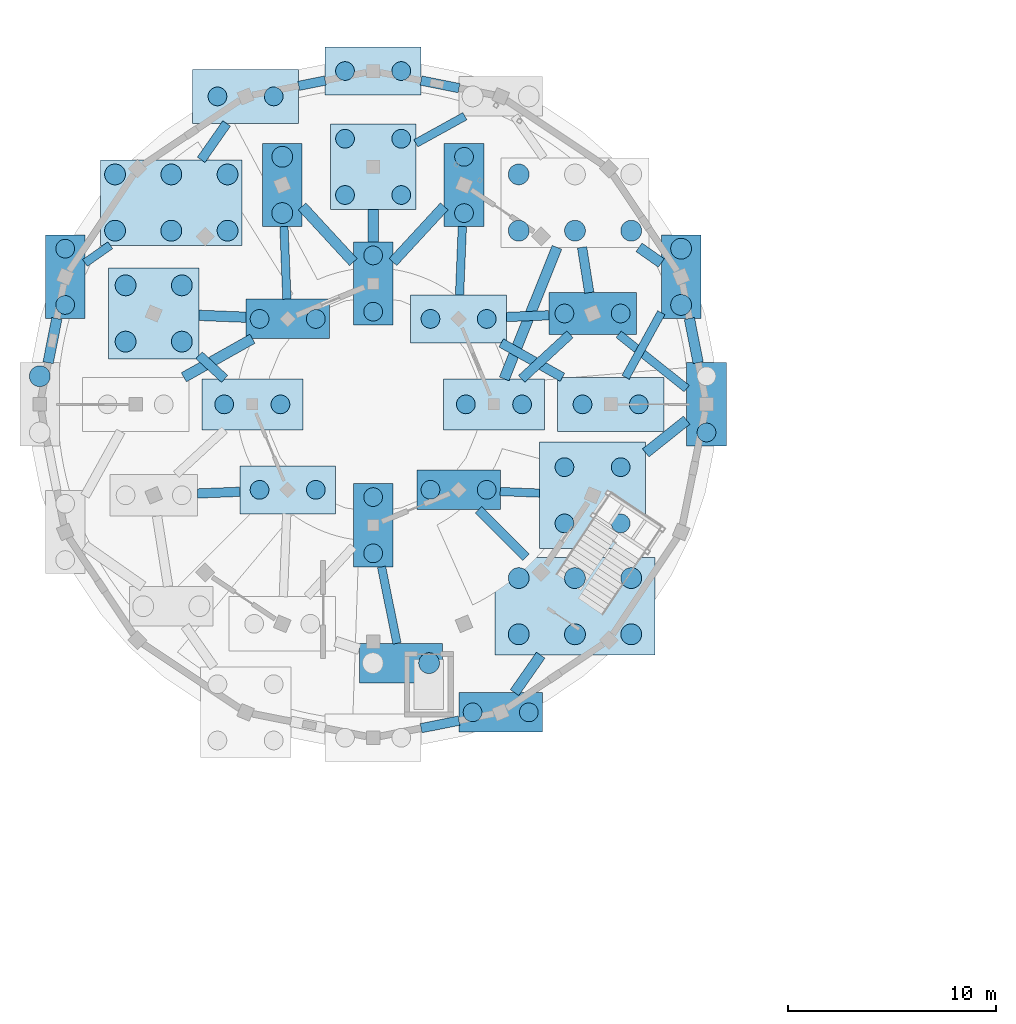
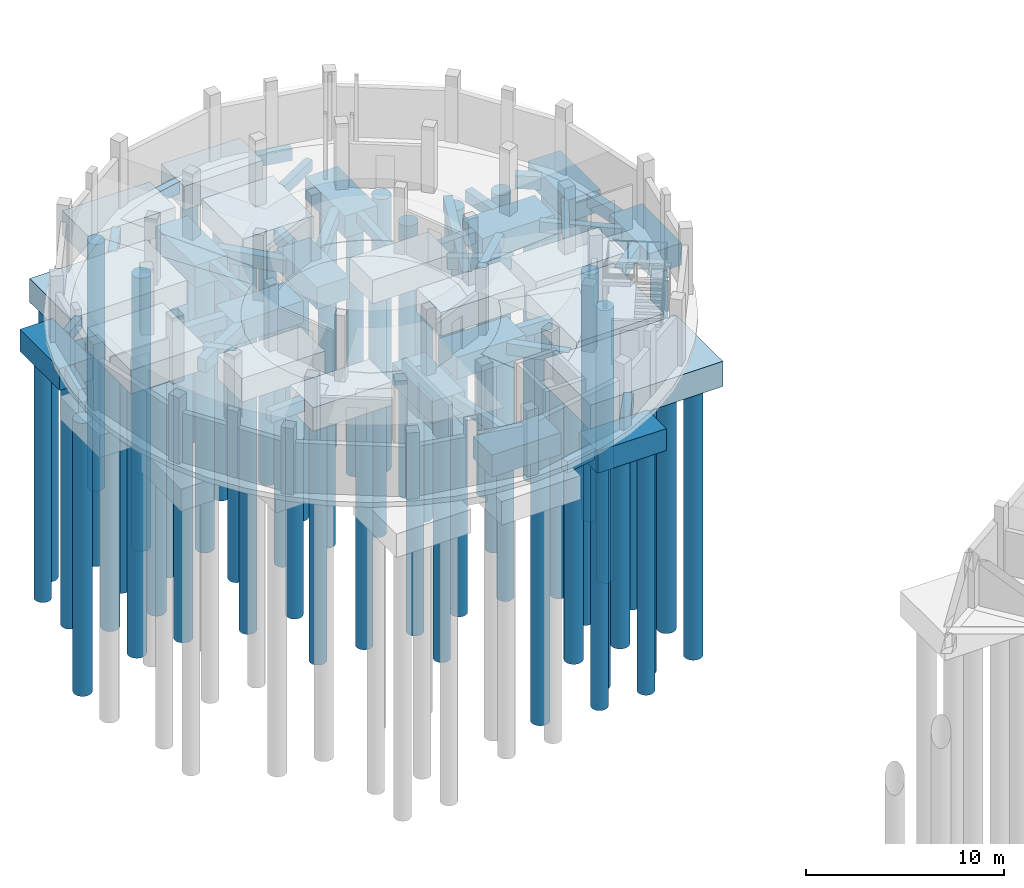
# One storey, part 5 of 58: 65 piles, 54 footings.
"""IFC4 building model written with IfcOpenShell, lengths in metres."""

from ifc_helpers import new_model, si_unit, direction, frame, origin, origin_2d, place, context, subcontext, project, spatial, rectangle, circle, extrude, material, material_profile, profile_set, type_object, element, save


model = new_model("IFC4")

# Units and contexts
model_context = context("Model", 3, precision=1e-05, world=origin(), true_north=direction((0.0, 1.0)))
body_context = subcontext(model_context, "Body", "Model", "MODEL_VIEW")
ifc_project = project(units=[si_unit("LENGTHUNIT", "METRE"), si_unit("AREAUNIT", "SQUARE_METRE"), si_unit("VOLUMEUNIT", "CUBIC_METRE"), si_unit("PLANEANGLEUNIT", "RADIAN"), si_unit("MASSUNIT", "GRAM", prefix="KILO")], contexts=[model_context])

# Site, building, storey
site_placement = place(None, origin())
site = spatial("IfcSite", under=ifc_project, at=site_placement, CompositionType="ELEMENT")
building_placement = place(site_placement, origin())
building = spatial("IfcBuilding", under=site, at=building_placement, Name="Caldaven Crescent School", CompositionType="ELEMENT")
storey_placement = place(building_placement, frame((0.0, 0.0, -4.080078125)))
storey = spatial("IfcBuildingStorey", under=building, at=storey_placement, Name="B1", CompositionType="ELEMENT", Elevation=-4.080078125)

# Footings
ifc_material_1 = material(Name="Concrete C30/37", Category="concrete")
ifc_material_profile_1 = material_profile(ifc_material_1, rectangle(XDim=0.449951171875, YDim=0.699951171875, at=origin_2d()), Name="FB 450x700")
ifc_profile_set_1 = profile_set([ifc_material_profile_1], Name="Concrete C30/37")
footing_type_1 = type_object("IfcFootingType", Name="FTG-FB1", PredefinedType="FOOTING_BEAM", material=ifc_profile_set_1)
footing_1_placement = place(storey_placement, frame((30.62890625, 99.72509765625, -0.64990234375), z_axis=(0.735245539754, 0.677800852959, 0.0), x_axis=(-0.677800852959, 0.735245539754, 0.0)))
element("IfcFooting", 1, at=footing_1_placement, inside=storey, type_object=footing_type_1, Name="FB-046", PredefinedType="FOOTING_BEAM", context=body_context, shape_type="SweptSolid", body=[
    extrude(rectangle(XDim=0.449951171875, YDim=0.699951171875, at=origin_2d()), origin(), (0.0, 0.0, 1.0), 3.153564453125),
])
footing_2_placement = place(storey_placement, frame((32.58642578125, 99.800048828125, -0.64990234375), z_axis=(-0.87181721638, 0.489831339568, 0.0), x_axis=(-0.489831339568, -0.87181721638, 0.0)))
element("IfcFooting", 2, at=footing_2_placement, inside=storey, type_object=footing_type_1, Name="FB-049", PredefinedType="FOOTING_BEAM", context=body_context, shape_type="SweptSolid", body=[
    extrude(rectangle(XDim=0.449951171875, YDim=0.699951171875, at=origin_2d()), origin(), (0.0, 0.0, 1.0), 3.370849609375),
])
footing_3_placement = place(storey_placement, frame((33.87353515625, 103.862548828125, -0.64990234375), z_axis=(-0.156662828898, 0.98765214425, 0.0), x_axis=(-0.98765214425, -0.156662828898, 0.0)))
element("IfcFooting", 3, at=footing_3_placement, inside=storey, type_object=footing_type_1, Name="FB-052", PredefinedType="FOOTING_BEAM", context=body_context, shape_type="SweptSolid", body=[
    extrude(rectangle(XDim=0.449951171875, YDim=0.699951171875, at=origin_2d()), origin(), (0.0, 0.0, 1.0), 2.201904296875),
])
footing_4_placement = place(storey_placement, frame((29.901123046875, 102.694580078125, -0.64990234375), z_axis=(0.999175626796, 0.040596389212, 0.0), x_axis=(-0.040596389212, 0.999175626796, 0.0)))
element("IfcFooting", 4, at=footing_4_placement, inside=storey, type_object=footing_type_1, Name="FB-055", PredefinedType="FOOTING_BEAM", context=body_context, shape_type="SweptSolid", body=[
    extrude(rectangle(XDim=0.449951171875, YDim=0.699951171875, at=origin_2d()), origin(), (0.0, 0.0, 1.0), 2.03271484375),
])
footing_5_placement = place(storey_placement, frame((27.622802734375, 113.679931640625, -0.64990234375), z_axis=(-0.980787284568, 0.195080246127, 0.0), x_axis=(-0.195080246127, -0.980787284568, 0.0)))
element("IfcFooting", 5, at=footing_5_placement, inside=storey, type_object=footing_type_1, Name="FB-058", PredefinedType="FOOTING_BEAM", context=body_context, shape_type="SweptSolid", body=[
    extrude(rectangle(XDim=0.449951171875, YDim=0.699951171875, at=origin_2d()), origin(), (0.0, 0.0, 1.0), 1.8583984375),
])
footing_6_placement = place(storey_placement, frame((21.199951171875, 114.04248046875, -0.64990234375), z_axis=(-0.980789926192, -0.195066964607, 0.0), x_axis=(0.195066964607, -0.980789926192, 0.0)))
element("IfcFooting", 6, at=footing_6_placement, inside=storey, type_object=footing_type_1, Name="FB-061", PredefinedType="FOOTING_BEAM", context=body_context, shape_type="SweptSolid", body=[
    extrude(rectangle(XDim=0.449951171875, YDim=0.699951171875, at=origin_2d()), origin(), (0.0, 0.0, 1.0), 1.2978515625),
])
footing_7_placement = place(storey_placement, frame((16.467529296875, 111.982177734375, -0.64990234375), z_axis=(-0.573239183006, -0.819388088189, 0.0), x_axis=(0.819388088189, -0.573239183006, 0.0)))
element("IfcFooting", 7, at=footing_7_placement, inside=storey, type_object=footing_type_1, Name="FB-064", PredefinedType="FOOTING_BEAM", context=body_context, shape_type="SweptSolid", body=[
    extrude(rectangle(XDim=0.449951171875, YDim=0.699951171875, at=origin_2d()), origin(), (0.0, 0.0, 1.0), 2.12939453125),
])
footing_8_placement = place(storey_placement, frame((15.142822265625, 100.857421875, -0.64990234375), z_axis=(0.735240317332, -0.677806517946, 0.0), x_axis=(0.677806517946, 0.735240317332, 0.0)))
element("IfcFooting", 8, at=footing_8_placement, inside=storey, type_object=footing_type_1, Name="FB-067", PredefinedType="FOOTING_BEAM", context=body_context, shape_type="SweptSolid", body=[
    extrude(rectangle(XDim=0.449951171875, YDim=0.699951171875, at=origin_2d()), origin(), (0.0, 0.0, 1.0), 1.670654296875),
])
footing_9_placement = place(storey_placement, frame((17.098876953125, 94.305419921875, -0.64990234375), z_axis=(-0.999175626796, -0.040596389212, 0.0), x_axis=(0.040596389212, -0.999175626796, 0.0)))
element("IfcFooting", 9, at=footing_9_placement, inside=storey, type_object=footing_type_1, Name="FB-076", PredefinedType="FOOTING_BEAM", context=body_context, shape_type="SweptSolid", body=[
    extrude(rectangle(XDim=0.449951171875, YDim=0.699951171875, at=origin_2d()), origin(), (0.0, 0.0, 1.0), 2.03271484375),
])
footing_10_placement = place(storey_placement, frame((25.800048828125, 82.95751953125, -0.64990234375), z_axis=(0.980787284568, 0.195080246127, 0.0), x_axis=(-0.195080246127, 0.980787284568, 0.0)))
element("IfcFooting", 10, at=footing_10_placement, inside=storey, type_object=footing_type_1, Name="FB-082", PredefinedType="FOOTING_BEAM", context=body_context, shape_type="SweptSolid", body=[
    extrude(rectangle(XDim=0.449951171875, YDim=0.699951171875, at=origin_2d()), origin(), (0.0, 0.0, 1.0), 1.8583984375),
])
footing_11_placement = place(storey_placement, frame((28.55126953125, 93.44873046875, -0.64990234375), z_axis=(0.707106781187, -0.707106781187, 0.0), x_axis=(0.707106781187, 0.707106781187, 0.0)))
element("IfcFooting", 11, at=footing_11_placement, inside=storey, type_object=footing_type_1, Name="FB-085", PredefinedType="FOOTING_BEAM", context=body_context, shape_type="SweptSolid", body=[
    extrude(rectangle(XDim=0.449951171875, YDim=0.699951171875, at=origin_2d()), origin(), (0.0, 0.0, 1.0), 3.233154296875),
])
ifc_material_profile_2 = material_profile(ifc_material_1, rectangle(XDim=0.5, YDim=0.800048828125, at=origin_2d()), Name="FB 500x800")
ifc_profile_set_2 = profile_set([ifc_material_profile_2], Name="Concrete C30/37")
footing_type_2 = type_object("IfcFootingType", Name="FTG-FB2", PredefinedType="FOOTING_BEAM", material=ifc_profile_set_2)
footing_12_placement = place(storey_placement, frame((29.79150390625, 99.72509765625, -0.699951171875), z_axis=(0.372442521457, 0.928055261399, 0.0), x_axis=(-0.928055261399, 0.372442521457, 0.0)))
element("IfcFooting", 12, at=footing_12_placement, inside=storey, type_object=footing_type_2, Name="FB-047", PredefinedType="FOOTING_BEAM", context=body_context, shape_type="SweptSolid", body=[
    extrude(rectangle(XDim=0.5, YDim=0.800048828125, at=origin_2d()), origin(), (0.0, 0.0, 1.0), 6.801513671875),
])
footing_13_placement = place(storey_placement, frame((39.102294921875, 100.5, -0.699951171875), z_axis=(-0.195139904607, 0.98077541651, 0.0), x_axis=(-0.98077541651, -0.195139904607, 0.0)))
element("IfcFooting", 13, at=footing_13_placement, inside=storey, type_object=footing_type_2, Name="FB-050", PredefinedType="FOOTING_BEAM", context=body_context, shape_type="SweptSolid", body=[
    extrude(rectangle(XDim=0.5, YDim=0.800048828125, at=origin_2d()), origin(), (0.0, 0.0, 1.0), 2.164306640625),
])
footing_14_placement = place(storey_placement, frame((37.33203125, 105.28759765625, -0.699951171875), z_axis=(-0.819345917975, 0.573299456391, 0.0), x_axis=(-0.573299456391, -0.819345917975, 0.0)))
element("IfcFooting", 14, at=footing_14_placement, inside=storey, type_object=footing_type_2, Name="FB-053", PredefinedType="FOOTING_BEAM", context=body_context, shape_type="SweptSolid", body=[
    extrude(rectangle(XDim=0.5, YDim=0.800048828125, at=origin_2d()), origin(), (0.0, 0.0, 1.0), 1.307861328125),
])
footing_15_placement = place(storey_placement, frame((26.91259765625, 108.001708984375, -0.699951171875), z_axis=(-0.67783062662, -0.735218091192, 0.0), x_axis=(0.735218091192, -0.67783062662, 0.0)))
element("IfcFooting", 15, at=footing_15_placement, inside=storey, type_object=footing_type_2, Name="FB-056", PredefinedType="FOOTING_BEAM", context=body_context, shape_type="SweptSolid", body=[
    extrude(rectangle(XDim=0.5, YDim=0.800048828125, at=origin_2d()), origin(), (0.0, 0.0, 1.0), 3.633056640625),
])
footing_16_placement = place(storey_placement, frame((23.5, 106.300048828125, -0.699951171875), z_axis=(0.0, 1.0, 0.0), x_axis=(-1.0, 0.0, 0.0)))
element("IfcFooting", 16, at=footing_16_placement, inside=storey, type_object=footing_type_2, Name="FB-059", PredefinedType="FOOTING_BEAM", context=body_context, shape_type="SweptSolid", body=[
    extrude(rectangle(XDim=0.5, YDim=0.800048828125, at=origin_2d()), origin(), (0.0, 0.0, 1.0), 1.550048828125),
])
footing_17_placement = place(storey_placement, frame((20.08740234375, 108.001708984375, -0.699951171875), z_axis=(0.67783062662, -0.735218091192, 0.0), x_axis=(0.735218091192, 0.67783062662, 0.0)))
element("IfcFooting", 17, at=footing_17_placement, inside=storey, type_object=footing_type_2, Name="FB-062", PredefinedType="FOOTING_BEAM", context=body_context, shape_type="SweptSolid", body=[
    extrude(rectangle(XDim=0.5, YDim=0.800048828125, at=origin_2d()), origin(), (0.0, 0.0, 1.0), 3.633056640625),
])
footing_18_placement = place(storey_placement, frame((17.398681640625, 102.6826171875, -0.699951171875), z_axis=(-0.999177468557, 0.040551033626, 0.0), x_axis=(-0.040551033626, -0.999177468557, 0.0)))
element("IfcFooting", 18, at=footing_18_placement, inside=storey, type_object=footing_type_2, Name="FB-065", PredefinedType="FOOTING_BEAM", context=body_context, shape_type="SweptSolid", body=[
    extrude(rectangle(XDim=0.5, YDim=0.800048828125, at=origin_2d()), origin(), (0.0, 0.0, 1.0), 2.2578125),
])
footing_19_placement = place(storey_placement, frame((8.320068359375, 102.622802734375, -0.699951171875), z_axis=(-0.195139904607, -0.98077541651, 0.0), x_axis=(0.98077541651, -0.195139904607, 0.0)))
element("IfcFooting", 19, at=footing_19_placement, inside=storey, type_object=footing_type_2, Name="FB-068", PredefinedType="FOOTING_BEAM", context=body_context, shape_type="SweptSolid", body=[
    extrude(rectangle(XDim=0.5, YDim=0.800048828125, at=origin_2d()), origin(), (0.0, 0.0, 1.0), 2.164306640625),
])
footing_20_placement = place(storey_placement, frame((14.41357421875, 99.800048828125, -0.699951171875), z_axis=(0.87180664502, 0.489850154331, 0.0), x_axis=(-0.489850154331, 0.87180664502, 0.0)))
element("IfcFooting", 20, at=footing_20_placement, inside=storey, type_object=footing_type_2, Name="FB-071", PredefinedType="FOOTING_BEAM", context=body_context, shape_type="SweptSolid", body=[
    extrude(rectangle(XDim=0.5, YDim=0.800048828125, at=origin_2d()), origin(), (0.0, 0.0, 1.0), 3.77880859375),
])
footing_21_placement = place(storey_placement, frame((30.28759765625, 84.66796875, -0.699951171875), z_axis=(0.573260344839, 0.819373283086, 0.0), x_axis=(-0.819373283086, 0.573260344839, 0.0)))
element("IfcFooting", 21, at=footing_21_placement, inside=storey, type_object=footing_type_2, Name="FB-083", PredefinedType="FOOTING_BEAM", context=body_context, shape_type="SweptSolid", body=[
    extrude(rectangle(XDim=0.5, YDim=0.800048828125, at=origin_2d()), origin(), (0.0, 0.0, 1.0), 2.190185546875),
])
footing_22_placement = place(storey_placement, frame((36.582275390625, 96.172119140625, -0.699951171875), z_axis=(0.781719681901, 0.623629969556, 0.0), x_axis=(-0.623629969556, 0.781719681901, 0.0)))
element("IfcFooting", 22, at=footing_22_placement, inside=storey, type_object=footing_type_2, Name="FB-086", PredefinedType="FOOTING_BEAM", context=body_context, shape_type="SweptSolid", body=[
    extrude(rectangle(XDim=0.5, YDim=0.800048828125, at=origin_2d()), origin(), (0.0, 0.0, 1.0), 2.517333984375),
])
ifc_material_profile_3 = material_profile(ifc_material_1, rectangle(XDim=0.39990234375, YDim=0.64990234375, at=origin_2d()), Name="FB 400x650")
ifc_profile_set_3 = profile_set([ifc_material_profile_3], Name="Concrete C30/37")
footing_type_3 = type_object("IfcFootingType", Name="FTG-FB3", PredefinedType="FOOTING_BEAM", material=ifc_profile_set_3)
footing_23_placement = place(storey_placement, frame((35.6181640625, 99.800048828125, -0.625), z_axis=(0.483477839389, 0.875356600946, 0.0), x_axis=(-0.875356600946, 0.483477839389, 0.0)))
element("IfcFooting", 23, at=footing_23_placement, inside=storey, type_object=footing_type_3, Name="FB-048", PredefinedType="FOOTING_BEAM", context=body_context, shape_type="SweptSolid", body=[
    extrude(rectangle(XDim=0.39990234375, YDim=0.64990234375, at=origin_2d()), origin(), (0.0, 0.0, 1.0), 3.544921875),
])
footing_24_placement = place(storey_placement, frame((38.550048828125, 99.258056640625, -0.625), z_axis=(-0.781712185848, 0.623639365737, 0.0), x_axis=(-0.623639365737, -0.781712185848, 0.0)))
element("IfcFooting", 24, at=footing_24_placement, inside=storey, type_object=footing_type_3, Name="FB-051", PredefinedType="FOOTING_BEAM", context=body_context, shape_type="SweptSolid", body=[
    extrude(rectangle(XDim=0.39990234375, YDim=0.64990234375, at=origin_2d()), origin(), (0.0, 0.0, 1.0), 4.17626953125),
])
footing_25_placement = place(storey_placement, frame((27.64794921875, 103.751220703125, -0.625), z_axis=(0.040594533328, 0.999175702198, 0.0), x_axis=(-0.999175702198, 0.040594533328, 0.0)))
element("IfcFooting", 25, at=footing_25_placement, inside=storey, type_object=footing_type_3, Name="FB-054", PredefinedType="FOOTING_BEAM", context=body_context, shape_type="SweptSolid", body=[
    extrude(rectangle(XDim=0.39990234375, YDim=0.64990234375, at=origin_2d()), origin(), (0.0, 0.0, 1.0), 3.28369140625),
])
footing_26_placement = place(storey_placement, frame((25.550048828125, 111.032470703125, -0.625), z_axis=(0.87536697396, 0.483459058143, 0.0), x_axis=(-0.483459058143, 0.87536697396, 0.0)))
element("IfcFooting", 26, at=footing_26_placement, inside=storey, type_object=footing_type_3, Name="FB-060", PredefinedType="FOOTING_BEAM", context=body_context, shape_type="SweptSolid", body=[
    extrude(rectangle(XDim=0.39990234375, YDim=0.64990234375, at=origin_2d()), origin(), (0.0, 0.0, 1.0), 2.68798828125),
])
footing_27_placement = place(storey_placement, frame((19.21875, 107.0322265625, -0.625), z_axis=(0.040575338967, -0.999176481843, 0.0), x_axis=(0.999176481843, 0.040575338967, 0.0)))
element("IfcFooting", 27, at=footing_27_placement, inside=storey, type_object=footing_type_3, Name="FB-063", PredefinedType="FOOTING_BEAM", context=body_context, shape_type="SweptSolid", body=[
    extrude(rectangle(XDim=0.39990234375, YDim=0.64990234375, at=origin_2d()), origin(), (0.0, 0.0, 1.0), 3.48388671875),
])
footing_28_placement = place(storey_placement, frame((10.882568359375, 106.137451171875, -0.625), z_axis=(-0.819347962608, -0.573296534239, 0.0), x_axis=(0.573296534239, -0.819347962608, 0.0)))
element("IfcFooting", 28, at=footing_28_placement, inside=storey, type_object=footing_type_3, Name="FB-066", PredefinedType="FOOTING_BEAM", context=body_context, shape_type="SweptSolid", body=[
    extrude(rectangle(XDim=0.39990234375, YDim=0.64990234375, at=origin_2d()), origin(), (0.0, 0.0, 1.0), 1.482421875),
])
footing_29_placement = place(storey_placement, frame((23.90380859375, 90.699951171875, -0.625), z_axis=(0.197922303759, -0.980217711366, 0.0), x_axis=(0.980217711366, 0.197922303759, 0.0)))
element("IfcFooting", 29, at=footing_29_placement, inside=storey, type_object=footing_type_3, Name="FB-081", PredefinedType="FOOTING_BEAM", context=body_context, shape_type="SweptSolid", body=[
    extrude(rectangle(XDim=0.39990234375, YDim=0.64990234375, at=origin_2d()), origin(), (0.0, 0.0, 1.0), 3.742431640625),
])
footing_30_placement = place(storey_placement, frame((29.601318359375, 94.3173828125, -0.625), z_axis=(0.999175693195, -0.040594754929, 0.0), x_axis=(0.040594754929, 0.999175693195, 0.0)))
element("IfcFooting", 30, at=footing_30_placement, inside=storey, type_object=footing_type_3, Name="FB-084", PredefinedType="FOOTING_BEAM", context=body_context, shape_type="SweptSolid", body=[
    extrude(rectangle(XDim=0.39990234375, YDim=0.64990234375, at=origin_2d()), origin(), (0.0, 0.0, 1.0), 1.88232421875),
])
ifc_material_2 = material(Name="Concrete C35/45", Category="concrete")
footing_type_4 = type_object("IfcFootingType", Name="FTG-PC01", PredefinedType="PILE_CAP", material=ifc_material_2)
for number, where, z_axis, x_axis, name in (
    (31, (39.5, 98.5, -1.64990234375), (0.0, 0.0, 1.0), (0.0, 1.0, 0.0), "PC-043"),
    (32, (38.281982421875, 104.622802734375, -1.64990234375), (0.0, 0.0, 1.0), (0.0, 1.0, 0.0), "PC-045"),
    (33, (27.862548828125, 109.0322265625, -1.64990234375), (0.0, 0.0, 1.0), (0.0, 1.0, 0.0), "PC-048"),
    (34, (23.5, 104.300048828125, -1.64990234375), (0.0, 0.0, 1.0), (0.0, 1.0, 0.0), "PC-050"),
    (35, (19.137451171875, 109.0322265625, -1.64990234375), (0.0, 0.0, 1.0), (0.0, 1.0, 0.0), "PC-053"),
    (36, (19.398681640625, 102.601318359375, -1.64990234375), (0.0, 0.0, 1.0), (1.0, 0.0, 0.0), "PC-055"),
    (37, (8.718017578125, 104.622802734375, -1.64990234375), (0.0, 0.0, 1.0), (0.0, 1.0, 0.0), "PC-058"),
    (38, (23.5, 92.699951171875, -1.64990234375), (0.0, 0.0, 1.0), (0.0, 1.0, 0.0), "PC-068"),
    (39, (24.83642578125, 86.08154296875, -1.64990234375), (0.0, 0.0, 1.0), (1.0, 0.0, 0.0), "PC-069"),
    (40, (29.622802734375, 83.718017578125, -1.64990234375), (0.0, 0.0, 1.0), (1.0, 0.0, 0.0), "PC-072"),
    (41, (27.601318359375, 94.398681640625, -1.64990234375), (0.0, 0.0, 1.0), (1.0, 0.0, 0.0), "PC-073"),
):
    element("IfcFooting", number, at=place(storey_placement, frame(where, z_axis=z_axis, x_axis=x_axis)), inside=storey, type_object=footing_type_4, Name=name, PredefinedType="PILE_CAP", context=body_context, shape_type="SweptSolid", body=[
        extrude(rectangle(XDim=4.0, YDim=1.89990234375, at=origin_2d()), origin(), (0.0, 0.0, 1.0), 1.35009765625),
    ])
footing_type_5 = type_object("IfcFootingType", Name="FTG-PC02", PredefinedType="PILE_CAP", material=ifc_material_2)
footing_31_placement = place(storey_placement, frame((34.0322265625, 102.862548828125, -1.699951171875), z_axis=(0.0, 0.0, 1.0), x_axis=(1.0, 0.0, 0.0)))
element("IfcFooting", 42, at=footing_31_placement, inside=storey, type_object=footing_type_5, Name="PC-044", PredefinedType="PILE_CAP", context=body_context, shape_type="SweptSolid", body=[
    extrude(rectangle(XDim=4.199951171875, YDim=2.0, at=origin_2d()), origin(), (0.0, 0.0, 1.0), 1.39990234375),
])
footing_type_6 = type_object("IfcFootingType", Name="FTG-PC04", PredefinedType="PILE_CAP", material=ifc_material_2)
for number, where, z_axis, x_axis, name in (
    (43, (27.601318359375, 102.601318359375, -1.75), (0.0, 0.0, 1.0), (1.0, 0.0, 0.0), "PC-046"),
    (44, (23.5, 114.5, -1.75), (0.0, 0.0, 1.0), (1.0, 0.0, 0.0), "PC-052"),
    (45, (19.398681640625, 94.398681640625, -1.75), (0.0, 0.0, 1.0), (1.0, 0.0, 0.0), "PC-064"),
):
    element("IfcFooting", number, at=place(storey_placement, frame(where, z_axis=z_axis, x_axis=x_axis)), inside=storey, type_object=footing_type_6, Name=name, PredefinedType="PILE_CAP", context=body_context, shape_type="SweptSolid", body=[
        extrude(rectangle(XDim=4.60009765625, YDim=2.300048828125, at=origin_2d()), origin(), (0.0, 0.0, 1.0), 1.449951171875),
    ])
footing_type_7 = type_object("IfcFootingType", Name="FTG-PC05", PredefinedType="PILE_CAP", material=ifc_material_2)
for number, where, z_axis, x_axis, name in (
    (46, (29.300048828125, 98.5, -1.75), (0.0, 0.0, 1.0), (1.0, 0.0, 0.0), "PC-041"),
    (47, (17.699951171875, 98.5, -1.75), (0.0, 0.0, 1.0), (1.0, 0.0, 0.0), "PC-059"),
):
    element("IfcFooting", number, at=place(storey_placement, frame(where, z_axis=z_axis, x_axis=x_axis)), inside=storey, type_object=footing_type_7, Name=name, PredefinedType="PILE_CAP", context=body_context, shape_type="SweptSolid", body=[
        extrude(rectangle(XDim=4.85009765625, YDim=2.449951171875, at=origin_2d()), origin(), (0.0, 0.0, 1.0), 1.449951171875),
    ])
footing_type_8 = type_object("IfcFootingType", Name="FTG-PC06", PredefinedType="PILE_CAP", material=ifc_material_2)
for number, where, z_axis, x_axis, name in (
    (48, (34.89990234375, 98.5, -1.7998046875), (0.0, 0.0, 1.0), (1.0, 0.0, 0.0), "PC-042"),
    (49, (17.377197265625, 113.281982421875, -1.7998046875), (0.0, 0.0, 1.0), (1.0, 0.0, 0.0), "PC-054"),
):
    element("IfcFooting", number, at=place(storey_placement, frame(where, z_axis=z_axis, x_axis=x_axis)), inside=storey, type_object=footing_type_8, Name=name, PredefinedType="PILE_CAP", context=body_context, shape_type="SweptSolid", body=[
        extrude(rectangle(XDim=5.10009765625, YDim=2.60009765625, at=origin_2d()), origin(), (0.0, 0.0, 1.0), 1.5),
    ])
footing_type_9 = type_object("IfcFootingType", Name="FTG-PC07", PredefinedType="PILE_CAP", material=ifc_material_2)
footing_32_placement = place(storey_placement, frame((23.5, 109.89990234375, -1.699951171875), z_axis=(0.0, 0.0, 1.0), x_axis=(1.0, 0.0, 0.0)))
element("IfcFooting", 50, at=footing_32_placement, inside=storey, type_object=footing_type_9, Name="PC-051", PredefinedType="PILE_CAP", context=body_context, shape_type="SweptSolid", body=[
    extrude(rectangle(XDim=4.10009765625, YDim=4.10009765625, at=origin_2d()), origin(), (0.0, 0.0, 1.0), 1.39990234375),
])
footing_type_10 = type_object("IfcFootingType", Name="FTG-PC08", PredefinedType="PILE_CAP", material=ifc_material_2)
footing_33_placement = place(storey_placement, frame((12.9677734375, 102.862548828125, -1.75), z_axis=(0.0, 0.0, 1.0), x_axis=(1.0, 0.0, 0.0)))
element("IfcFooting", 51, at=footing_33_placement, inside=storey, type_object=footing_type_10, Name="PC-057", PredefinedType="PILE_CAP", context=body_context, shape_type="SweptSolid", body=[
    extrude(rectangle(XDim=4.35009765625, YDim=4.35009765625, at=origin_2d()), origin(), (0.0, 0.0, 1.0), 1.449951171875),
])
footing_type_11 = type_object("IfcFootingType", Name="FTG-PC11", PredefinedType="PILE_CAP", material=ifc_material_2)
footing_34_placement = place(storey_placement, frame((34.0322265625, 94.137451171875, -1.85009765625), z_axis=(0.0, 0.0, 1.0), x_axis=(1.0, 0.0, 0.0)))
element("IfcFooting", 52, at=footing_34_placement, inside=storey, type_object=footing_type_11, Name="PC-075", PredefinedType="PILE_CAP", context=body_context, shape_type="SweptSolid", body=[
    extrude(rectangle(XDim=5.10009765625, YDim=5.10009765625, at=origin_2d()), origin(), (0.0, 0.0, 1.0), 1.550048828125),
])
footing_type_12 = type_object("IfcFootingType", Name="FTG-PC12", PredefinedType="PILE_CAP", material=ifc_material_2)
footing_35_placement = place(storey_placement, frame((13.8125, 108.1875, -1.75), z_axis=(0.0, 0.0, 1.0), x_axis=(1.0, 0.0, 0.0)))
element("IfcFooting", 53, at=footing_35_placement, inside=storey, type_object=footing_type_12, Name="PC-056", PredefinedType="PILE_CAP", context=body_context, shape_type="SweptSolid", body=[
    extrude(rectangle(XDim=6.800048828125, YDim=4.10009765625, at=origin_2d()), origin(), (0.0, 0.0, 1.0), 1.449951171875),
])
footing_type_13 = type_object("IfcFootingType", Name="FTG-PC15", PredefinedType="PILE_CAP", material=ifc_material_2)
footing_36_placement = place(storey_placement, frame((33.1875, 88.8125, -1.85009765625), z_axis=(0.0, 0.0, 1.0), x_axis=(1.0, 0.0, 0.0)))
element("IfcFooting", 54, at=footing_36_placement, inside=storey, type_object=footing_type_13, Name="PC-074", PredefinedType="PILE_CAP", context=body_context, shape_type="SweptSolid", body=[
    extrude(rectangle(XDim=7.699951171875, YDim=4.699951171875, at=origin_2d()), origin(), (0.0, 0.0, 1.0), 1.550048828125),
])

# Piles
ifc_material_profile_4 = material_profile(ifc_material_2, circle(Radius=0.5, at=origin_2d()), Name="PILE D1000")
ifc_profile_set_4 = profile_set([ifc_material_profile_4], Name="Concrete C35/45")
pile_type_1 = type_object("IfcPileType", Name="PIL-D1000", PredefinedType="BORED", material=ifc_profile_set_4)
for number, where, z_axis, x_axis, name in (
    (55, (38.281982421875, 103.27294921875, -1.5498046875), (0.0, 0.0, -1.0), (1.0, 0.0, 0.0), "PILE-045-1"),
    (56, (38.281982421875, 105.972900390625, -1.5498046875), (0.0, 0.0, -1.0), (1.0, 0.0, 0.0), "PILE-045-2"),
    (57, (30.4873046875, 106.83740234375, -1.699951171875), (0.0, 0.0, -1.0), (1.0, 0.0, 0.0), "PILE-047-1"),
    (58, (33.1875, 106.83740234375, -1.699951171875), (0.0, 0.0, -1.0), (1.0, 0.0, 0.0), "PILE-047-2"),
    (59, (35.887451171875, 106.83740234375, -1.699951171875), (0.0, 0.0, -1.0), (1.0, 0.0, 0.0), "PILE-047-3"),
    (60, (30.4873046875, 109.537353515625, -1.699951171875), (0.0, 0.0, -1.0), (1.0, 0.0, 0.0), "PILE-047-4"),
    (61, (19.137451171875, 107.68212890625, -1.5498046875), (0.0, 0.0, -1.0), (1.0, 0.0, 0.0), "PILE-053-1"),
    (62, (19.137451171875, 110.382080078125, -1.5498046875), (0.0, 0.0, -1.0), (1.0, 0.0, 0.0), "PILE-053-2"),
    (63, (11.112548828125, 106.83740234375, -1.64990234375), (0.0, 0.0, -1.0), (1.0, 0.0, 0.0), "PILE-056-1"),
    (64, (13.8125, 106.83740234375, -1.64990234375), (0.0, 0.0, -1.0), (1.0, 0.0, 0.0), "PILE-056-2"),
    (65, (16.5126953125, 106.83740234375, -1.64990234375), (0.0, 0.0, -1.0), (1.0, 0.0, 0.0), "PILE-056-3"),
    (66, (11.112548828125, 109.537353515625, -1.64990234375), (0.0, 0.0, -1.0), (1.0, 0.0, 0.0), "PILE-056-4"),
    (67, (13.8125, 109.537353515625, -1.64990234375), (0.0, 0.0, -1.0), (1.0, 0.0, 0.0), "PILE-056-5"),
    (68, (16.5126953125, 109.537353515625, -1.64990234375), (0.0, 0.0, -1.0), (1.0, 0.0, 0.0), "PILE-056-6"),
    (69, (11.617919921875, 101.5126953125, -1.64990234375), (0.0, 0.0, -1.0), (1.0, 0.0, 0.0), "PILE-057-1"),
    (70, (14.31787109375, 101.5126953125, -1.64990234375), (0.0, 0.0, -1.0), (1.0, 0.0, 0.0), "PILE-057-2"),
    (71, (11.617919921875, 104.212646484375, -1.64990234375), (0.0, 0.0, -1.0), (1.0, 0.0, 0.0), "PILE-057-3"),
    (72, (14.31787109375, 104.212646484375, -1.64990234375), (0.0, 0.0, -1.0), (1.0, 0.0, 0.0), "PILE-057-4"),
    (73, (7.5, 99.85009765625, -1.5498046875), (0.0, 0.0, -1.0), (1.0, 0.0, 0.0), "PILE-061-2"),
    (74, (26.186279296875, 86.08154296875, -1.5498046875), (0.0, 0.0, -1.0), (1.0, 0.0, 0.0), "PILE-069-2"),
    (75, (30.4873046875, 87.462646484375, -1.75), (0.0, 0.0, -1.0), (1.0, 0.0, 0.0), "PILE-074-1"),
    (76, (33.1875, 87.462646484375, -1.75), (0.0, 0.0, -1.0), (1.0, 0.0, 0.0), "PILE-074-2"),
    (77, (35.887451171875, 87.462646484375, -1.75), (0.0, 0.0, -1.0), (1.0, 0.0, 0.0), "PILE-074-3"),
    (78, (30.4873046875, 90.16259765625, -1.75), (0.0, 0.0, -1.0), (1.0, 0.0, 0.0), "PILE-074-4"),
    (79, (33.1875, 90.16259765625, -1.75), (0.0, 0.0, -1.0), (1.0, 0.0, 0.0), "PILE-074-5"),
    (80, (35.887451171875, 90.16259765625, -1.75), (0.0, 0.0, -1.0), (1.0, 0.0, 0.0), "PILE-074-6"),
):
    element("IfcPile", number, at=place(storey_placement, frame(where, z_axis=z_axis, x_axis=x_axis)), inside=storey, type_object=pile_type_1, Name=name, PredefinedType="BORED", context=body_context, shape_type="SweptSolid", body=[
        extrude(circle(Radius=0.5, at=origin_2d()), origin(), (0.0, 0.0, 1.0), 16.800048828125),
    ])
ifc_material_profile_5 = material_profile(ifc_material_2, circle(Radius=0.449951171875, at=origin_2d()), Name="PILE D900")
ifc_profile_set_5 = profile_set([ifc_material_profile_5], Name="Concrete C35/45")
pile_type_2 = type_object("IfcPileType", Name="PIL-D900", PredefinedType="BORED", material=ifc_profile_set_5)
for number, where, z_axis, x_axis, name in (
    (81, (27.949951171875, 98.5, -1.64990234375), (0.0, 0.0, -1.0), (1.0, 0.0, 0.0), "PILE-041-1"),
    (82, (30.64990234375, 98.5, -1.64990234375), (0.0, 0.0, -1.0), (1.0, 0.0, 0.0), "PILE-041-2"),
    (83, (33.550048828125, 98.5, -1.699951171875), (0.0, 0.0, -1.0), (1.0, 0.0, 0.0), "PILE-042-1"),
    (84, (36.25, 98.5, -1.699951171875), (0.0, 0.0, -1.0), (1.0, 0.0, 0.0), "PILE-042-2"),
):
    element("IfcPile", number, at=place(storey_placement, frame(where, z_axis=z_axis, x_axis=x_axis)), inside=storey, type_object=pile_type_2, Name=name, PredefinedType="BORED", context=body_context, shape_type="SweptSolid", body=[
        extrude(circle(Radius=0.449951171875, at=origin_2d()), origin(), (0.0, 0.0, 1.0), 15.199951171875),
    ])
pile_placement = place(storey_placement, frame((39.5, 97.14990234375, -1.5498046875), z_axis=(0.0, 0.0, -1.0), x_axis=(1.0, 0.0, 0.0)))
element("IfcPile", 85, at=pile_placement, inside=storey, type_object=pile_type_2, Name="PILE-043-1", PredefinedType="BORED", context=body_context, shape_type="SweptSolid", body=[
    extrude(circle(Radius=0.449951171875, at=origin_2d()), origin(), (0.0, 0.0, 1.0), 16.800048828125),
])
for number, where, z_axis, x_axis, name in (
    (86, (32.68212890625, 102.862548828125, -1.599853515625), (0.0, 0.0, -1.0), (1.0, 0.0, 0.0), "PILE-044-1"),
    (87, (35.382080078125, 102.862548828125, -1.599853515625), (0.0, 0.0, -1.0), (1.0, 0.0, 0.0), "PILE-044-2"),
    (88, (26.251220703125, 102.601318359375, -1.64990234375), (0.0, 0.0, -1.0), (1.0, 0.0, 0.0), "PILE-046-1"),
    (89, (28.951171875, 102.601318359375, -1.64990234375), (0.0, 0.0, -1.0), (1.0, 0.0, 0.0), "PILE-046-2"),
    (90, (27.862548828125, 107.68212890625, -1.5498046875), (0.0, 0.0, -1.0), (1.0, 0.0, 0.0), "PILE-048-1"),
    (91, (27.862548828125, 110.382080078125, -1.5498046875), (0.0, 0.0, -1.0), (1.0, 0.0, 0.0), "PILE-048-2"),
    (92, (23.5, 102.949951171875, -1.5498046875), (0.0, 0.0, -1.0), (1.0, 0.0, 0.0), "PILE-050-1"),
    (93, (23.5, 105.64990234375, -1.5498046875), (0.0, 0.0, -1.0), (1.0, 0.0, 0.0), "PILE-050-2"),
):
    element("IfcPile", number, at=place(storey_placement, frame(where, z_axis=z_axis, x_axis=x_axis)), inside=storey, type_object=pile_type_2, Name=name, PredefinedType="BORED", context=body_context, shape_type="SweptSolid", body=[
        extrude(circle(Radius=0.449951171875, at=origin_2d()), origin(), (0.0, 0.0, 1.0), 15.199951171875),
    ])
for number, where, z_axis, x_axis, name in (
    (94, (22.14990234375, 108.550048828125, -1.599853515625), (0.0, 0.0, -1.0), (1.0, 0.0, 0.0), "PILE-051-1"),
    (95, (24.85009765625, 108.550048828125, -1.599853515625), (0.0, 0.0, -1.0), (1.0, 0.0, 0.0), "PILE-051-2"),
    (96, (22.14990234375, 111.25, -1.599853515625), (0.0, 0.0, -1.0), (1.0, 0.0, 0.0), "PILE-051-3"),
    (97, (24.85009765625, 111.25, -1.599853515625), (0.0, 0.0, -1.0), (1.0, 0.0, 0.0), "PILE-051-4"),
):
    element("IfcPile", number, at=place(storey_placement, frame(where, z_axis=z_axis, x_axis=x_axis)), inside=storey, type_object=pile_type_2, Name=name, PredefinedType="BORED", context=body_context, shape_type="SweptSolid", body=[
        extrude(circle(Radius=0.449951171875, at=origin_2d()), origin(), (0.0, 0.0, 1.0), 16.800048828125),
    ])
for number, where, z_axis, x_axis, name in (
    (98, (22.14990234375, 114.5, -1.64990234375), (0.0, 0.0, -1.0), (1.0, 0.0, 0.0), "PILE-052-1"),
    (99, (24.85009765625, 114.5, -1.64990234375), (0.0, 0.0, -1.0), (1.0, 0.0, 0.0), "PILE-052-2"),
    (100, (16.027099609375, 113.281982421875, -1.699951171875), (0.0, 0.0, -1.0), (1.0, 0.0, 0.0), "PILE-054-1"),
    (101, (18.72705078125, 113.281982421875, -1.699951171875), (0.0, 0.0, -1.0), (1.0, 0.0, 0.0), "PILE-054-2"),
    (102, (18.048828125, 102.601318359375, -1.5498046875), (0.0, 0.0, -1.0), (1.0, 0.0, 0.0), "PILE-055-1"),
    (103, (20.748779296875, 102.601318359375, -1.5498046875), (0.0, 0.0, -1.0), (1.0, 0.0, 0.0), "PILE-055-2"),
    (104, (8.718017578125, 103.27294921875, -1.5498046875), (0.0, 0.0, -1.0), (1.0, 0.0, 0.0), "PILE-058-1"),
    (105, (8.718017578125, 105.972900390625, -1.5498046875), (0.0, 0.0, -1.0), (1.0, 0.0, 0.0), "PILE-058-2"),
    (106, (16.35009765625, 98.5, -1.64990234375), (0.0, 0.0, -1.0), (1.0, 0.0, 0.0), "PILE-059-1"),
    (107, (19.050048828125, 98.5, -1.64990234375), (0.0, 0.0, -1.0), (1.0, 0.0, 0.0), "PILE-059-2"),
    (108, (18.048828125, 94.398681640625, -1.64990234375), (0.0, 0.0, -1.0), (1.0, 0.0, 0.0), "PILE-064-1"),
    (109, (20.748779296875, 94.398681640625, -1.64990234375), (0.0, 0.0, -1.0), (1.0, 0.0, 0.0), "PILE-064-2"),
    (110, (23.5, 91.35009765625, -1.5498046875), (0.0, 0.0, -1.0), (1.0, 0.0, 0.0), "PILE-068-1"),
    (111, (23.5, 94.050048828125, -1.5498046875), (0.0, 0.0, -1.0), (1.0, 0.0, 0.0), "PILE-068-2"),
    (112, (28.27294921875, 83.718017578125, -1.5498046875), (0.0, 0.0, -1.0), (1.0, 0.0, 0.0), "PILE-072-1"),
    (113, (30.972900390625, 83.718017578125, -1.5498046875), (0.0, 0.0, -1.0), (1.0, 0.0, 0.0), "PILE-072-2"),
    (114, (26.251220703125, 94.398681640625, -1.5498046875), (0.0, 0.0, -1.0), (1.0, 0.0, 0.0), "PILE-073-1"),
    (115, (28.951171875, 94.398681640625, -1.5498046875), (0.0, 0.0, -1.0), (1.0, 0.0, 0.0), "PILE-073-2"),
):
    element("IfcPile", number, at=place(storey_placement, frame(where, z_axis=z_axis, x_axis=x_axis)), inside=storey, type_object=pile_type_2, Name=name, PredefinedType="BORED", context=body_context, shape_type="SweptSolid", body=[
        extrude(circle(Radius=0.449951171875, at=origin_2d()), origin(), (0.0, 0.0, 1.0), 15.199951171875),
    ])
for number, where, z_axis, x_axis, name in (
    (116, (32.68212890625, 92.787353515625, -1.75), (0.0, 0.0, -1.0), (1.0, 0.0, 0.0), "PILE-075-1"),
    (117, (35.382080078125, 92.787353515625, -1.75), (0.0, 0.0, -1.0), (1.0, 0.0, 0.0), "PILE-075-2"),
    (118, (32.68212890625, 95.4873046875, -1.75), (0.0, 0.0, -1.0), (1.0, 0.0, 0.0), "PILE-075-3"),
    (119, (35.382080078125, 95.4873046875, -1.75), (0.0, 0.0, -1.0), (1.0, 0.0, 0.0), "PILE-075-4"),
):
    element("IfcPile", number, at=place(storey_placement, frame(where, z_axis=z_axis, x_axis=x_axis)), inside=storey, type_object=pile_type_2, Name=name, PredefinedType="BORED", context=body_context, shape_type="SweptSolid", body=[
        extrude(circle(Radius=0.449951171875, at=origin_2d()), origin(), (0.0, 0.0, 1.0), 16.800048828125),
    ])

save(model, "model.ifc")
